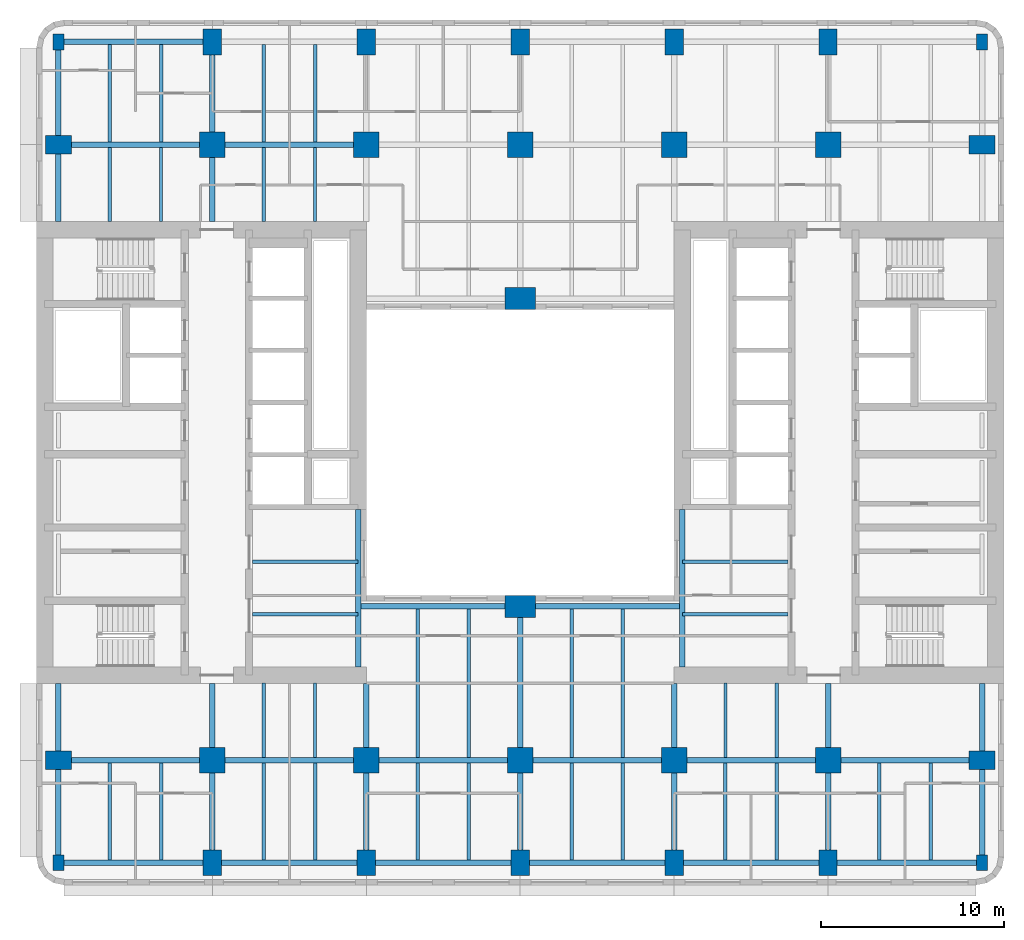
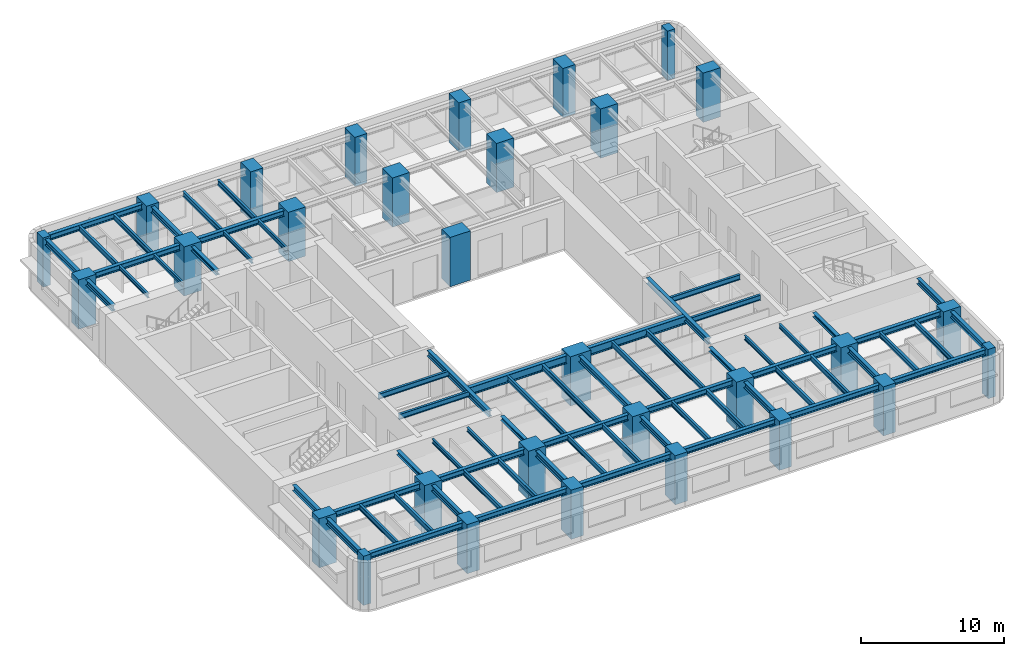
# One storey, part 1 of 11: 69 beams, 30 columns.
"""IFC4 building model written with IfcOpenShell, lengths in metres."""

from ifc_helpers import new_model, si_unit, direction, frame, origin, origin_2d, place, context, subcontext, project, spatial, rectangle, i_section, extrude, material, material_profile, profile_set, type_object, element, save


model = new_model("IFC4")

# Units and contexts
model_context = context("Model", 3, precision=1e-05, world=origin(), true_north=direction((0.0, 1.0)))
body_context = subcontext(model_context, "Body", "Model", "MODEL_VIEW")
ifc_project = project(units=[si_unit("LENGTHUNIT", "METRE"), si_unit("AREAUNIT", "SQUARE_METRE"), si_unit("VOLUMEUNIT", "CUBIC_METRE"), si_unit("PLANEANGLEUNIT", "RADIAN"), si_unit("MASSUNIT", "GRAM", prefix="KILO")], contexts=[model_context])

# Site, building, storey
site_placement = place(None, origin())
site = spatial("IfcSite", under=ifc_project, at=site_placement, CompositionType="ELEMENT")
building_placement = place(site_placement, origin())
building = spatial("IfcBuilding", under=site, at=building_placement, Name="Claustro Exchange Tower", CompositionType="ELEMENT")
storey_placement = place(building_placement, frame((0.0, 0.0, 126.0)))
storey = spatial("IfcBuildingStorey", under=building, at=storey_placement, Name="L28", CompositionType="ELEMENT", Elevation=126.0)

# Columns
ifc_material_1 = material(Name="Concrete HA-70 (C70/85)", Category="concrete")
ifc_material_profile_1 = material_profile(ifc_material_1, rectangle(XDim=1.39990234375, YDim=1.39990234375, at=origin_2d()), Name="RC 1400x1400")
ifc_profile_set_1 = profile_set([ifc_material_profile_1], Name="Concrete HA-70 (C70/85)")
column_type_1 = type_object("IfcColumnType", Name="C0 RC 1400x1400 HA-70 column", PredefinedType="COLUMN", material=ifc_profile_set_1)
for number, where, z_axis, x_axis, name in (
    (1, (8.39990234375, 8.39990234375, 0.0), (0.0, 0.0, 1.0), (1.0, 0.0, 0.0), "Column C0 2/B L28"),
    (2, (8.39990234375, 42.0, 0.0), (0.0, 0.0, 1.0), (1.0, 0.0, 0.0), "Column C0 2/F L28"),
    (3, (16.800048828125, 8.39990234375, 0.0), (0.0, 0.0, 1.0), (1.0, 0.0, 0.0), "Column C0 3/B L28"),
    (4, (16.800048828125, 42.0, 0.0), (0.0, 0.0, 1.0), (1.0, 0.0, 0.0), "Column C0 3/F L28"),
    (5, (25.199951171875, 8.39990234375, 0.0), (0.0, 0.0, 1.0), (1.0, 0.0, 0.0), "Column C0 4/B L28"),
    (6, (25.199951171875, 42.0, 0.0), (0.0, 0.0, 1.0), (1.0, 0.0, 0.0), "Column C0 4/F L28"),
    (7, (33.60009765625, 8.39990234375, 0.0), (0.0, 0.0, 1.0), (1.0, 0.0, 0.0), "Column C0 5/B L28"),
    (8, (33.60009765625, 42.0, 0.0), (0.0, 0.0, 1.0), (1.0, 0.0, 0.0), "Column C0 5/F L28"),
    (9, (42.0, 8.39990234375, 0.0), (0.0, 0.0, 1.0), (1.0, 0.0, 0.0), "Column C0 6/B L28"),
    (10, (42.0, 42.0, 0.0), (0.0, 0.0, 1.0), (1.0, 0.0, 0.0), "Column C0 6/F L28"),
):
    element("IfcColumn", number, at=place(storey_placement, frame(where, z_axis=z_axis, x_axis=x_axis)), inside=storey, type_object=column_type_1, Name=name, PredefinedType="COLUMN", context=body_context, shape_type="SweptSolid", body=[
        extrude(rectangle(XDim=1.39990234375, YDim=1.39990234375, at=origin_2d()), origin(), (0.0, 0.0, 1.0), 4.199951171875),
    ])
ifc_material_2 = material(Name="Concrete HA-70 (C70/85)", Category="concrete")
ifc_material_profile_2 = material_profile(ifc_material_2, rectangle(XDim=1.0, YDim=1.39990234375, at=origin_2d()), Name="RC 1000x1400")
ifc_profile_set_2 = profile_set([ifc_material_profile_2], Name="Concrete HA-70 (C70/85)")
column_type_2 = type_object("IfcColumnType", Name="C22 RC 1000x1400 HA-70 perimeter column", PredefinedType="COLUMN", material=ifc_profile_set_2)
for number, where, z_axis, x_axis, name in (
    (11, (0.0, 8.39990234375, 0.0), (0.0, 0.0, 1.0), (0.0, 1.0, 0.0), "Column C22 1/B L28"),
    (12, (0.0, 42.0, 0.0), (0.0, 0.0, 1.0), (0.0, 1.0, 0.0), "Column C22 1/F L28"),
    (13, (8.39990234375, 2.800048828125, 0.0), (0.0, 0.0, 1.0), (1.0, 0.0, 0.0), "Column C22 2/A+2800 L28"),
    (14, (8.39990234375, 47.60009765625, 0.0), (0.0, 0.0, 1.0), (1.0, 0.0, 0.0), "Column C22 2/F+5600 L28"),
    (15, (16.800048828125, 2.800048828125, 0.0), (0.0, 0.0, 1.0), (1.0, 0.0, 0.0), "Column C22 3/A+2800 L28"),
    (16, (16.800048828125, 47.60009765625, 0.0), (0.0, 0.0, 1.0), (1.0, 0.0, 0.0), "Column C22 3/F+5600 L28"),
    (17, (25.199951171875, 2.800048828125, 0.0), (0.0, 0.0, 1.0), (1.0, 0.0, 0.0), "Column C22 4/A+2800 L28"),
    (18, (25.199951171875, 47.60009765625, 0.0), (0.0, 0.0, 1.0), (1.0, 0.0, 0.0), "Column C22 4/F+5600 L28"),
    (19, (33.60009765625, 2.800048828125, 0.0), (0.0, 0.0, 1.0), (1.0, 0.0, 0.0), "Column C22 5/A+2800 L28"),
    (20, (33.60009765625, 47.60009765625, 0.0), (0.0, 0.0, 1.0), (1.0, 0.0, 0.0), "Column C22 5/F+5600 L28"),
    (21, (42.0, 2.800048828125, 0.0), (0.0, 0.0, 1.0), (1.0, 0.0, 0.0), "Column C22 6/A+2800 L28"),
    (22, (42.0, 47.60009765625, 0.0), (0.0, 0.0, 1.0), (1.0, 0.0, 0.0), "Column C22 6/F+5600 L28"),
    (23, (50.39990234375, 8.39990234375, 0.0), (0.0, 0.0, 1.0), (0.0, 1.0, 0.0), "Column C22 7/B L28"),
    (24, (50.39990234375, 42.0, 0.0), (0.0, 0.0, 1.0), (0.0, 1.0, 0.0), "Column C22 7/F L28"),
):
    element("IfcColumn", number, at=place(storey_placement, frame(where, z_axis=z_axis, x_axis=x_axis)), inside=storey, type_object=column_type_2, Name=name, PredefinedType="COLUMN", context=body_context, shape_type="SweptSolid", body=[
        extrude(rectangle(XDim=1.0, YDim=1.39990234375, at=origin_2d()), origin(), (0.0, 0.0, 1.0), 4.199951171875),
    ])
ifc_material_3 = material(Name="Concrete HA-50 (C50/60)", Category="concrete")
ifc_material_profile_3 = material_profile(ifc_material_3, rectangle(XDim=0.60009765625, YDim=0.85009765625, at=origin_2d()), Name="RC 600x850")
ifc_profile_set_3 = profile_set([ifc_material_profile_3], Name="Concrete HA-50 (C50/60)")
column_type_3 = type_object("IfcColumnType", Name="C25 RC 600x850 HA-50 corner column", PredefinedType="COLUMN", material=ifc_profile_set_3)
for number, where, z_axis, x_axis, name in (
    (25, (0.0, 2.800048828125, 0.0), (0.0, 0.0, 1.0), (1.0, 0.0, 0.0), "Column C25 1/A+2800 L28"),
    (26, (0.0, 47.60009765625, 0.0), (0.0, 0.0, 1.0), (1.0, 0.0, 0.0), "Column C25 1/F+5600 L28"),
    (27, (50.39990234375, 2.800048828125, 0.0), (0.0, 0.0, 1.0), (1.0, 0.0, 0.0), "Column C25 7/A+2800 L28"),
    (28, (50.39990234375, 47.60009765625, 0.0), (0.0, 0.0, 1.0), (1.0, 0.0, 0.0), "Column C25 7/F+5600 L28"),
):
    element("IfcColumn", number, at=place(storey_placement, frame(where, z_axis=z_axis, x_axis=x_axis)), inside=storey, type_object=column_type_3, Name=name, PredefinedType="COLUMN", context=body_context, shape_type="SweptSolid", body=[
        extrude(rectangle(XDim=0.60009765625, YDim=0.85009765625, at=origin_2d()), origin(), (0.0, 0.0, 1.0), 4.199951171875),
    ])
ifc_material_4 = material(Name="Concrete HA-70 (C70/85)", Category="concrete")
ifc_material_profile_4 = material_profile(ifc_material_4, rectangle(XDim=1.64990234375, YDim=1.199951171875, at=origin_2d()), Name="RC 1650x1200")
ifc_profile_set_4 = profile_set([ifc_material_profile_4], Name="Concrete HA-70 (C70/85)")
column_type_4 = type_object("IfcColumnType", Name="C32 RC 1650x1200 HA-70 light well column", PredefinedType="COLUMN", material=ifc_profile_set_4)
for number, where, z_axis, x_axis, name in (
    (29, (25.199951171875, 16.800048828125, 0.0), (0.0, 0.0, 1.0), (1.0, 0.0, 0.0), "Column C32 4/C L28"),
    (30, (25.199951171875, 33.60009765625, 0.0), (0.0, 0.0, 1.0), (1.0, 0.0, 0.0), "Column C32 4/E L28"),
):
    element("IfcColumn", number, at=place(storey_placement, frame(where, z_axis=z_axis, x_axis=x_axis)), inside=storey, type_object=column_type_4, Name=name, PredefinedType="COLUMN", context=body_context, shape_type="SweptSolid", body=[
        extrude(rectangle(XDim=1.64990234375, YDim=1.199951171875, at=origin_2d()), origin(), (0.0, 0.0, 1.0), 4.199951171875),
    ])

# Beams
ifc_material_5 = material(Name="Steel S355", Category="steel")
ifc_material_profile_5 = material_profile(ifc_material_5, i_section(OverallWidth=0.300048828125, OverallDepth=0.68994140625, WebThickness=0.014404296875, FlangeThickness=0.027099609375, FilletRadius=0.027099609375, at=origin_2d()), Name="HE 700 A")
ifc_profile_set_5 = profile_set([ifc_material_profile_5], Name="Steel S355")
beam_type_1 = type_object("IfcBeamType", Name="B13 HE 700 A light well edge girder", PredefinedType="BEAM", material=ifc_profile_set_5)
beam_1_placement = place(storey_placement, frame((16.35009765625, 16.800048828125, 3.705078125), z_axis=(1.0, 0.0, 0.0), x_axis=(0.0, 1.0, 0.0)))
element("IfcBeam", 31, at=beam_1_placement, inside=storey, type_object=beam_type_1, Name="Beam B13 L29", PredefinedType="BEAM", context=body_context, shape_type="SweptSolid", body=[
    extrude(i_section(OverallWidth=0.300048828125, OverallDepth=0.68994140625, WebThickness=0.014404296875, FlangeThickness=0.027099609375, FilletRadius=0.027099609375, at=origin_2d()), origin(), (0.0, 0.0, 1.0), 8.849853515625),
])
beam_2_placement = place(storey_placement, frame((25.199951171875, 16.800048828125, 3.705078125), z_axis=(1.0, 0.0, 0.0), x_axis=(0.0, 1.0, 0.0)))
element("IfcBeam", 32, at=beam_2_placement, inside=storey, type_object=beam_type_1, Name="Beam B13 L29", PredefinedType="BEAM", context=body_context, shape_type="SweptSolid", body=[
    extrude(i_section(OverallWidth=0.300048828125, OverallDepth=0.68994140625, WebThickness=0.014404296875, FlangeThickness=0.027099609375, FilletRadius=0.027099609375, at=origin_2d()), origin(), (0.0, 0.0, 1.0), 8.85009765625),
])
ifc_material_6 = material(Name="Steel S355", Category="steel")
ifc_material_profile_6 = material_profile(ifc_material_6, i_section(OverallWidth=0.169921875, OverallDepth=0.360107421875, WebThickness=0.008056640625, FlangeThickness=0.0126953125, FilletRadius=0.01806640625, at=origin_2d()), Name="IPE 360")
ifc_profile_set_6 = profile_set([ifc_material_profile_6], Name="Steel S355")
beam_type_2 = type_object("IfcBeamType", Name="B16 IPE 360 short-span beam", PredefinedType="BEAM", material=ifc_profile_set_6)
for number, where, z_axis, x_axis, name in (
    (33, (2.800048828125, 37.7900390625, 3.8701171875), (0.0, 1.0, 0.0), (-1.0, 0.0, 0.0), "Beam B16 L29"),
    (34, (5.60009765625, 37.7900390625, 3.8701171875), (0.0, 1.0, 0.0), (-1.0, 0.0, 0.0), "Beam B16 L29"),
    (35, (11.199951171875, 8.550048828125, 3.8701171875), (0.0, 1.0, 0.0), (-1.0, 0.0, 0.0), "Beam B16 L29"),
    (36, (14.0, 8.550048828125, 3.8701171875), (0.0, 1.0, 0.0), (-1.0, 0.0, 0.0), "Beam B16 L29"),
    (37, (11.199951171875, 37.7900390625, 3.8701171875), (0.0, 1.0, 0.0), (-1.0, 0.0, 0.0), "Beam B16 L29"),
    (38, (14.0, 37.7900390625, 3.8701171875), (0.0, 1.0, 0.0), (-1.0, 0.0, 0.0), "Beam B16 L29"),
    (39, (36.39990234375, 8.550048828125, 3.8701171875), (0.0, 1.0, 0.0), (-1.0, 0.0, 0.0), "Beam B16 L29"),
    (40, (39.199951171875, 8.550048828125, 3.8701171875), (0.0, 1.0, 0.0), (-1.0, 0.0, 0.0), "Beam B16 L29"),
):
    element("IfcBeam", number, at=place(storey_placement, frame(where, z_axis=z_axis, x_axis=x_axis)), inside=storey, type_object=beam_type_2, Name=name, PredefinedType="BEAM", context=body_context, shape_type="SweptSolid", body=[
        extrude(i_section(OverallWidth=0.169921875, OverallDepth=0.360107421875, WebThickness=0.008056640625, FlangeThickness=0.0126953125, FilletRadius=0.01806640625, at=origin_2d()), origin(), (0.0, 0.0, 1.0), 4.06005859375),
    ])
ifc_material_7 = material(Name="Steel S355", Category="steel")
ifc_material_profile_7 = material_profile(ifc_material_7, i_section(OverallWidth=0.300048828125, OverallDepth=0.360107421875, WebThickness=0.012451171875, FlangeThickness=0.0224609375, FilletRadius=0.027099609375, at=origin_2d()), Name="HE 360 B")
ifc_profile_set_7 = profile_set([ifc_material_profile_7], Name="Steel S355")
beam_type_3 = type_object("IfcBeamType", Name="B29 HE 360 B column to core link beam", PredefinedType="BEAM", material=ifc_profile_set_7)
beam_3_placement = place(storey_placement, frame((8.39990234375, 8.39990234375, 3.8701171875), z_axis=(0.0, 1.0, 0.0), x_axis=(-1.0, 0.0, 0.0)))
element("IfcBeam", 41, at=beam_3_placement, inside=storey, type_object=beam_type_3, Name="Beam B29 L29", PredefinedType="BEAM", context=body_context, shape_type="SweptSolid", body=[
    extrude(i_section(OverallWidth=0.300048828125, OverallDepth=0.360107421875, WebThickness=0.012451171875, FlangeThickness=0.0224609375, FilletRadius=0.027099609375, at=origin_2d()), origin(), (0.0, 0.0, 1.0), 4.2001953125),
])
beam_4_placement = place(storey_placement, frame((8.39990234375, 37.800048828125, 3.8701171875), z_axis=(0.0, 1.0, 0.0), x_axis=(-1.0, 0.0, 0.0)))
element("IfcBeam", 42, at=beam_4_placement, inside=storey, type_object=beam_type_3, Name="Beam B29 L29", PredefinedType="BEAM", context=body_context, shape_type="SweptSolid", body=[
    extrude(i_section(OverallWidth=0.300048828125, OverallDepth=0.360107421875, WebThickness=0.012451171875, FlangeThickness=0.0224609375, FilletRadius=0.027099609375, at=origin_2d()), origin(), (0.0, 0.0, 1.0), 4.199951171875),
])
for number, where, z_axis, x_axis, name in (
    (43, (16.800048828125, 8.39990234375, 3.8701171875), (0.0, 1.0, 0.0), (-1.0, 0.0, 0.0), "Beam B29 L29"),
    (44, (33.60009765625, 8.39990234375, 3.8701171875), (0.0, 1.0, 0.0), (-1.0, 0.0, 0.0), "Beam B29 L29"),
    (45, (42.0, 8.39990234375, 3.8701171875), (0.0, 1.0, 0.0), (-1.0, 0.0, 0.0), "Beam B29 L29"),
):
    element("IfcBeam", number, at=place(storey_placement, frame(where, z_axis=z_axis, x_axis=x_axis)), inside=storey, type_object=beam_type_3, Name=name, PredefinedType="BEAM", context=body_context, shape_type="SweptSolid", body=[
        extrude(i_section(OverallWidth=0.300048828125, OverallDepth=0.360107421875, WebThickness=0.012451171875, FlangeThickness=0.0224609375, FilletRadius=0.027099609375, at=origin_2d()), origin(), (0.0, 0.0, 1.0), 4.2001953125),
    ])
ifc_material_8 = material(Name="Steel S355", Category="steel")
ifc_material_profile_8 = material_profile(ifc_material_8, i_section(OverallWidth=0.300048828125, OverallDepth=0.5, WebThickness=0.014404296875, FlangeThickness=0.028076171875, FilletRadius=0.027099609375, at=origin_2d()), Name="HE 500 B")
ifc_profile_set_8 = profile_set([ifc_material_profile_8], Name="Steel S355")
beam_type_4 = type_object("IfcBeamType", Name="B7 HE 500 B floor girder", PredefinedType="BEAM", material=ifc_profile_set_8)
beam_5_placement = place(storey_placement, frame((8.39990234375, 2.800048828125, 3.800048828125), z_axis=(0.0, 1.0, 0.0), x_axis=(-1.0, 0.0, 0.0)))
element("IfcBeam", 46, at=beam_5_placement, inside=storey, type_object=beam_type_4, Name="Beam B7 L29", PredefinedType="BEAM", context=body_context, shape_type="SweptSolid", body=[
    extrude(i_section(OverallWidth=0.300048828125, OverallDepth=0.5, WebThickness=0.014404296875, FlangeThickness=0.028076171875, FilletRadius=0.027099609375, at=origin_2d()), origin(), (0.0, 0.0, 1.0), 5.599853515625),
])
beam_6_placement = place(storey_placement, frame((8.39990234375, 42.0, 3.800048828125), z_axis=(0.0, 1.0, 0.0), x_axis=(-1.0, 0.0, 0.0)))
element("IfcBeam", 47, at=beam_6_placement, inside=storey, type_object=beam_type_4, Name="Beam B7 L29", PredefinedType="BEAM", context=body_context, shape_type="SweptSolid", body=[
    extrude(i_section(OverallWidth=0.300048828125, OverallDepth=0.5, WebThickness=0.014404296875, FlangeThickness=0.028076171875, FilletRadius=0.027099609375, at=origin_2d()), origin(), (0.0, 0.0, 1.0), 5.60009765625),
])
for number, where, z_axis, x_axis, name in (
    (48, (16.800048828125, 2.800048828125, 3.800048828125), (0.0, 1.0, 0.0), (-1.0, 0.0, 0.0), "Beam B7 L29"),
    (49, (25.199951171875, 2.800048828125, 3.800048828125), (0.0, 1.0, 0.0), (-1.0, 0.0, 0.0), "Beam B7 L29"),
):
    element("IfcBeam", number, at=place(storey_placement, frame(where, z_axis=z_axis, x_axis=x_axis)), inside=storey, type_object=beam_type_4, Name=name, PredefinedType="BEAM", context=body_context, shape_type="SweptSolid", body=[
        extrude(i_section(OverallWidth=0.300048828125, OverallDepth=0.5, WebThickness=0.014404296875, FlangeThickness=0.028076171875, FilletRadius=0.027099609375, at=origin_2d()), origin(), (0.0, 0.0, 1.0), 5.599853515625),
    ])
beam_7_placement = place(storey_placement, frame((25.199951171875, 8.39990234375, 3.800048828125), z_axis=(0.0, 1.0, 0.0), x_axis=(-1.0, 0.0, 0.0)))
element("IfcBeam", 50, at=beam_7_placement, inside=storey, type_object=beam_type_4, Name="Beam B7 L29", PredefinedType="BEAM", context=body_context, shape_type="SweptSolid", body=[
    extrude(i_section(OverallWidth=0.300048828125, OverallDepth=0.5, WebThickness=0.014404296875, FlangeThickness=0.028076171875, FilletRadius=0.027099609375, at=origin_2d()), origin(), (0.0, 0.0, 1.0), 8.400146484375),
])
for number, where, z_axis, x_axis, name in (
    (51, (33.60009765625, 2.800048828125, 3.800048828125), (0.0, 1.0, 0.0), (-1.0, 0.0, 0.0), "Beam B7 L29"),
    (52, (42.0, 2.800048828125, 3.800048828125), (0.0, 1.0, 0.0), (-1.0, 0.0, 0.0), "Beam B7 L29"),
):
    element("IfcBeam", number, at=place(storey_placement, frame(where, z_axis=z_axis, x_axis=x_axis)), inside=storey, type_object=beam_type_4, Name=name, PredefinedType="BEAM", context=body_context, shape_type="SweptSolid", body=[
        extrude(i_section(OverallWidth=0.300048828125, OverallDepth=0.5, WebThickness=0.014404296875, FlangeThickness=0.028076171875, FilletRadius=0.027099609375, at=origin_2d()), origin(), (0.0, 0.0, 1.0), 5.599853515625),
    ])
beam_8_placement = place(storey_placement, frame((0.0, 8.39990234375, 3.800048828125), z_axis=(1.0, 0.0, 0.0), x_axis=(0.0, 1.0, 0.0)))
element("IfcBeam", 53, at=beam_8_placement, inside=storey, type_object=beam_type_4, Name="Beam B7 L29", PredefinedType="BEAM", context=body_context, shape_type="SweptSolid", body=[
    extrude(i_section(OverallWidth=0.300048828125, OverallDepth=0.5, WebThickness=0.014404296875, FlangeThickness=0.028076171875, FilletRadius=0.027099609375, at=origin_2d()), origin(), (0.0, 0.0, 1.0), 8.39990234375),
])
beam_9_placement = place(storey_placement, frame((8.39990234375, 8.39990234375, 3.800048828125), z_axis=(1.0, 0.0, 0.0), x_axis=(0.0, 1.0, 0.0)))
element("IfcBeam", 54, at=beam_9_placement, inside=storey, type_object=beam_type_4, Name="Beam B7 L29", PredefinedType="BEAM", context=body_context, shape_type="SweptSolid", body=[
    extrude(i_section(OverallWidth=0.300048828125, OverallDepth=0.5, WebThickness=0.014404296875, FlangeThickness=0.028076171875, FilletRadius=0.027099609375, at=origin_2d()), origin(), (0.0, 0.0, 1.0), 8.400146484375),
])
beam_10_placement = place(storey_placement, frame((16.800048828125, 8.39990234375, 3.800048828125), z_axis=(1.0, 0.0, 0.0), x_axis=(0.0, 1.0, 0.0)))
element("IfcBeam", 55, at=beam_10_placement, inside=storey, type_object=beam_type_4, Name="Beam B7 L29", PredefinedType="BEAM", context=body_context, shape_type="SweptSolid", body=[
    extrude(i_section(OverallWidth=0.300048828125, OverallDepth=0.5, WebThickness=0.014404296875, FlangeThickness=0.028076171875, FilletRadius=0.027099609375, at=origin_2d()), origin(), (0.0, 0.0, 1.0), 8.39990234375),
])
beam_11_placement = place(storey_placement, frame((25.199951171875, 8.39990234375, 3.800048828125), z_axis=(1.0, 0.0, 0.0), x_axis=(0.0, 1.0, 0.0)))
element("IfcBeam", 56, at=beam_11_placement, inside=storey, type_object=beam_type_4, Name="Beam B7 L29", PredefinedType="BEAM", context=body_context, shape_type="SweptSolid", body=[
    extrude(i_section(OverallWidth=0.300048828125, OverallDepth=0.5, WebThickness=0.014404296875, FlangeThickness=0.028076171875, FilletRadius=0.027099609375, at=origin_2d()), origin(), (0.0, 0.0, 1.0), 8.400146484375),
])
for number, where, z_axis, x_axis, name in (
    (57, (33.60009765625, 8.39990234375, 3.800048828125), (1.0, 0.0, 0.0), (0.0, 1.0, 0.0), "Beam B7 L29"),
    (58, (42.0, 8.39990234375, 3.800048828125), (1.0, 0.0, 0.0), (0.0, 1.0, 0.0), "Beam B7 L29"),
    (59, (0.0, 42.0, 3.800048828125), (1.0, 0.0, 0.0), (0.0, 1.0, 0.0), "Beam B7 L29"),
):
    element("IfcBeam", number, at=place(storey_placement, frame(where, z_axis=z_axis, x_axis=x_axis)), inside=storey, type_object=beam_type_4, Name=name, PredefinedType="BEAM", context=body_context, shape_type="SweptSolid", body=[
        extrude(i_section(OverallWidth=0.300048828125, OverallDepth=0.5, WebThickness=0.014404296875, FlangeThickness=0.028076171875, FilletRadius=0.027099609375, at=origin_2d()), origin(), (0.0, 0.0, 1.0), 8.39990234375),
    ])
beam_12_placement = place(storey_placement, frame((8.39990234375, 42.0, 3.800048828125), z_axis=(1.0, 0.0, 0.0), x_axis=(0.0, 1.0, 0.0)))
element("IfcBeam", 60, at=beam_12_placement, inside=storey, type_object=beam_type_4, Name="Beam B7 L29", PredefinedType="BEAM", context=body_context, shape_type="SweptSolid", body=[
    extrude(i_section(OverallWidth=0.300048828125, OverallDepth=0.5, WebThickness=0.014404296875, FlangeThickness=0.028076171875, FilletRadius=0.027099609375, at=origin_2d()), origin(), (0.0, 0.0, 1.0), 8.400146484375),
])
for number, where, z_axis, x_axis, name in (
    (61, (16.35009765625, 13.5, 3.800048828125), (0.0, 1.0, 0.0), (-1.0, 0.0, 0.0), "Beam B7 core step framing L29"),
    (62, (34.050048828125, 13.5, 3.800048828125), (0.0, 1.0, 0.0), (-1.0, 0.0, 0.0), "Beam B7 core step framing L29"),
):
    element("IfcBeam", number, at=place(storey_placement, frame(where, z_axis=z_axis, x_axis=x_axis)), inside=storey, type_object=beam_type_4, Name=name, PredefinedType="BEAM", context=body_context, shape_type="SweptSolid", body=[
        extrude(i_section(OverallWidth=0.300048828125, OverallDepth=0.5, WebThickness=0.014404296875, FlangeThickness=0.028076171875, FilletRadius=0.027099609375, at=origin_2d()), origin(), (0.0, 0.0, 1.0), 8.60009765625),
    ])
ifc_material_9 = material(Name="Steel S355", Category="steel")
ifc_material_profile_9 = material_profile(ifc_material_9, i_section(OverallWidth=0.18994140625, OverallDepth=0.449951171875, WebThickness=0.009521484375, FlangeThickness=0.0146484375, FilletRadius=0.02099609375, at=origin_2d()), Name="IPE 450")
ifc_profile_set_9 = profile_set([ifc_material_profile_9], Name="Steel S355")
beam_type_5 = type_object("IfcBeamType", Name="B8 IPE 450 secondary beam", PredefinedType="BEAM", material=ifc_profile_set_9)
for number, where, z_axis, x_axis, name in (
    (63, (2.800048828125, 2.949951171875, 3.824951171875), (0.0, 1.0, 0.0), (-1.0, 0.0, 0.0), "Beam B8 L29"),
    (64, (5.60009765625, 2.949951171875, 3.824951171875), (0.0, 1.0, 0.0), (-1.0, 0.0, 0.0), "Beam B8 L29"),
    (65, (2.800048828125, 42.14990234375, 3.824951171875), (0.0, 1.0, 0.0), (-1.0, 0.0, 0.0), "Beam B8 L29"),
    (66, (5.60009765625, 42.14990234375, 3.824951171875), (0.0, 1.0, 0.0), (-1.0, 0.0, 0.0), "Beam B8 L29"),
    (67, (11.199951171875, 2.949951171875, 3.824951171875), (0.0, 1.0, 0.0), (-1.0, 0.0, 0.0), "Beam B8 L29"),
    (68, (14.0, 2.949951171875, 3.824951171875), (0.0, 1.0, 0.0), (-1.0, 0.0, 0.0), "Beam B8 L29"),
    (69, (11.199951171875, 42.14990234375, 3.824951171875), (0.0, 1.0, 0.0), (-1.0, 0.0, 0.0), "Beam B8 L29"),
    (70, (14.0, 42.14990234375, 3.824951171875), (0.0, 1.0, 0.0), (-1.0, 0.0, 0.0), "Beam B8 L29"),
    (71, (19.60009765625, 2.949951171875, 3.824951171875), (0.0, 1.0, 0.0), (-1.0, 0.0, 0.0), "Beam B8 L29"),
    (72, (22.39990234375, 2.949951171875, 3.824951171875), (0.0, 1.0, 0.0), (-1.0, 0.0, 0.0), "Beam B8 L29"),
):
    element("IfcBeam", number, at=place(storey_placement, frame(where, z_axis=z_axis, x_axis=x_axis)), inside=storey, type_object=beam_type_5, Name=name, PredefinedType="BEAM", context=body_context, shape_type="SweptSolid", body=[
        extrude(i_section(OverallWidth=0.18994140625, OverallDepth=0.449951171875, WebThickness=0.009521484375, FlangeThickness=0.0146484375, FilletRadius=0.02099609375, at=origin_2d()), origin(), (0.0, 0.0, 1.0), 5.300048828125),
    ])
for number, where, z_axis, x_axis, name in (
    (73, (19.60009765625, 8.550048828125, 3.824951171875), (0.0, 1.0, 0.0), (-1.0, 0.0, 0.0), "Beam B8 L29"),
    (74, (22.39990234375, 8.550048828125, 3.824951171875), (0.0, 1.0, 0.0), (-1.0, 0.0, 0.0), "Beam B8 L29"),
):
    element("IfcBeam", number, at=place(storey_placement, frame(where, z_axis=z_axis, x_axis=x_axis)), inside=storey, type_object=beam_type_5, Name=name, PredefinedType="BEAM", context=body_context, shape_type="SweptSolid", body=[
        extrude(i_section(OverallWidth=0.18994140625, OverallDepth=0.449951171875, WebThickness=0.009521484375, FlangeThickness=0.0146484375, FilletRadius=0.02099609375, at=origin_2d()), origin(), (0.0, 0.0, 1.0), 8.099853515625),
    ])
for number, where, z_axis, x_axis, name in (
    (75, (28.0, 2.949951171875, 3.824951171875), (0.0, 1.0, 0.0), (-1.0, 0.0, 0.0), "Beam B8 L29"),
    (76, (30.800048828125, 2.949951171875, 3.824951171875), (0.0, 1.0, 0.0), (-1.0, 0.0, 0.0), "Beam B8 L29"),
):
    element("IfcBeam", number, at=place(storey_placement, frame(where, z_axis=z_axis, x_axis=x_axis)), inside=storey, type_object=beam_type_5, Name=name, PredefinedType="BEAM", context=body_context, shape_type="SweptSolid", body=[
        extrude(i_section(OverallWidth=0.18994140625, OverallDepth=0.449951171875, WebThickness=0.009521484375, FlangeThickness=0.0146484375, FilletRadius=0.02099609375, at=origin_2d()), origin(), (0.0, 0.0, 1.0), 5.300048828125),
    ])
for number, where, z_axis, x_axis, name in (
    (77, (28.0, 8.550048828125, 3.824951171875), (0.0, 1.0, 0.0), (-1.0, 0.0, 0.0), "Beam B8 L29"),
    (78, (30.800048828125, 8.550048828125, 3.824951171875), (0.0, 1.0, 0.0), (-1.0, 0.0, 0.0), "Beam B8 L29"),
):
    element("IfcBeam", number, at=place(storey_placement, frame(where, z_axis=z_axis, x_axis=x_axis)), inside=storey, type_object=beam_type_5, Name=name, PredefinedType="BEAM", context=body_context, shape_type="SweptSolid", body=[
        extrude(i_section(OverallWidth=0.18994140625, OverallDepth=0.449951171875, WebThickness=0.009521484375, FlangeThickness=0.0146484375, FilletRadius=0.02099609375, at=origin_2d()), origin(), (0.0, 0.0, 1.0), 8.099853515625),
    ])
for number, where, z_axis, x_axis, name in (
    (79, (36.39990234375, 2.949951171875, 3.824951171875), (0.0, 1.0, 0.0), (-1.0, 0.0, 0.0), "Beam B8 L29"),
    (80, (39.199951171875, 2.949951171875, 3.824951171875), (0.0, 1.0, 0.0), (-1.0, 0.0, 0.0), "Beam B8 L29"),
    (81, (44.800048828125, 2.949951171875, 3.824951171875), (0.0, 1.0, 0.0), (-1.0, 0.0, 0.0), "Beam B8 L29"),
    (82, (47.60009765625, 2.949951171875, 3.824951171875), (0.0, 1.0, 0.0), (-1.0, 0.0, 0.0), "Beam B8 L29"),
):
    element("IfcBeam", number, at=place(storey_placement, frame(where, z_axis=z_axis, x_axis=x_axis)), inside=storey, type_object=beam_type_5, Name=name, PredefinedType="BEAM", context=body_context, shape_type="SweptSolid", body=[
        extrude(i_section(OverallWidth=0.18994140625, OverallDepth=0.449951171875, WebThickness=0.009521484375, FlangeThickness=0.0146484375, FilletRadius=0.02099609375, at=origin_2d()), origin(), (0.0, 0.0, 1.0), 5.300048828125),
    ])
for number, where, z_axis, x_axis, name in (
    (83, (10.60009765625, 16.36669921875, 3.824951171875), (1.0, 0.0, 0.0), (0.0, 1.0, 0.0), "Beam B8 core step framing L29"),
    (84, (10.60009765625, 19.2333984375, 3.824951171875), (1.0, 0.0, 0.0), (0.0, 1.0, 0.0), "Beam B8 core step framing L29"),
    (85, (34.050048828125, 16.36669921875, 3.824951171875), (1.0, 0.0, 0.0), (0.0, 1.0, 0.0), "Beam B8 core step framing L29"),
    (86, (34.050048828125, 19.2333984375, 3.824951171875), (1.0, 0.0, 0.0), (0.0, 1.0, 0.0), "Beam B8 core step framing L29"),
):
    element("IfcBeam", number, at=place(storey_placement, frame(where, z_axis=z_axis, x_axis=x_axis)), inside=storey, type_object=beam_type_5, Name=name, PredefinedType="BEAM", context=body_context, shape_type="SweptSolid", body=[
        extrude(i_section(OverallWidth=0.18994140625, OverallDepth=0.449951171875, WebThickness=0.009521484375, FlangeThickness=0.0146484375, FilletRadius=0.02099609375, at=origin_2d()), origin(), (0.0, 0.0, 1.0), 5.75),
    ])
ifc_material_10 = material(Name="Steel S355", Category="steel")
ifc_material_profile_10 = material_profile(ifc_material_10, i_section(OverallWidth=0.300048828125, OverallDepth=0.489990234375, WebThickness=0.011962890625, FlangeThickness=0.02294921875, FilletRadius=0.027099609375, at=origin_2d()), Name="HE 500 A")
ifc_profile_set_10 = profile_set([ifc_material_profile_10], Name="Steel S355")
beam_type_6 = type_object("IfcBeamType", Name="B9 HE 500 A spandrel edge girder", PredefinedType="SPANDREL", material=ifc_profile_set_10)
beam_13_placement = place(storey_placement, frame((0.0, 2.800048828125, 3.804931640625), z_axis=(0.0, 1.0, 0.0), x_axis=(-1.0, 0.0, 0.0)))
element("IfcBeam", 87, at=beam_13_placement, inside=storey, type_object=beam_type_6, Name="Beam B9 L29", PredefinedType="SPANDREL", context=body_context, shape_type="SweptSolid", body=[
    extrude(i_section(OverallWidth=0.300048828125, OverallDepth=0.489990234375, WebThickness=0.011962890625, FlangeThickness=0.02294921875, FilletRadius=0.027099609375, at=origin_2d()), origin(), (0.0, 0.0, 1.0), 5.599853515625),
])
beam_14_placement = place(storey_placement, frame((0.0, 8.39990234375, 3.804931640625), z_axis=(0.0, 1.0, 0.0), x_axis=(-1.0, 0.0, 0.0)))
element("IfcBeam", 88, at=beam_14_placement, inside=storey, type_object=beam_type_6, Name="Beam B9 L29", PredefinedType="SPANDREL", context=body_context, shape_type="SweptSolid", body=[
    extrude(i_section(OverallWidth=0.300048828125, OverallDepth=0.489990234375, WebThickness=0.011962890625, FlangeThickness=0.02294921875, FilletRadius=0.027099609375, at=origin_2d()), origin(), (0.0, 0.0, 1.0), 4.2001953125),
])
beam_15_placement = place(storey_placement, frame((0.0, 37.800048828125, 3.804931640625), z_axis=(0.0, 1.0, 0.0), x_axis=(-1.0, 0.0, 0.0)))
element("IfcBeam", 89, at=beam_15_placement, inside=storey, type_object=beam_type_6, Name="Beam B9 L29", PredefinedType="SPANDREL", context=body_context, shape_type="SweptSolid", body=[
    extrude(i_section(OverallWidth=0.300048828125, OverallDepth=0.489990234375, WebThickness=0.011962890625, FlangeThickness=0.02294921875, FilletRadius=0.027099609375, at=origin_2d()), origin(), (0.0, 0.0, 1.0), 4.199951171875),
])
beam_16_placement = place(storey_placement, frame((0.0, 42.0, 3.804931640625), z_axis=(0.0, 1.0, 0.0), x_axis=(-1.0, 0.0, 0.0)))
element("IfcBeam", 90, at=beam_16_placement, inside=storey, type_object=beam_type_6, Name="Beam B9 L29", PredefinedType="SPANDREL", context=body_context, shape_type="SweptSolid", body=[
    extrude(i_section(OverallWidth=0.300048828125, OverallDepth=0.489990234375, WebThickness=0.011962890625, FlangeThickness=0.02294921875, FilletRadius=0.027099609375, at=origin_2d()), origin(), (0.0, 0.0, 1.0), 5.60009765625),
])
beam_17_placement = place(storey_placement, frame((50.39990234375, 2.800048828125, 3.804931640625), z_axis=(0.0, 1.0, 0.0), x_axis=(-1.0, 0.0, 0.0)))
element("IfcBeam", 91, at=beam_17_placement, inside=storey, type_object=beam_type_6, Name="Beam B9 L29", PredefinedType="SPANDREL", context=body_context, shape_type="SweptSolid", body=[
    extrude(i_section(OverallWidth=0.300048828125, OverallDepth=0.489990234375, WebThickness=0.011962890625, FlangeThickness=0.02294921875, FilletRadius=0.027099609375, at=origin_2d()), origin(), (0.0, 0.0, 1.0), 5.599853515625),
])
beam_18_placement = place(storey_placement, frame((50.39990234375, 8.39990234375, 3.804931640625), z_axis=(0.0, 1.0, 0.0), x_axis=(-1.0, 0.0, 0.0)))
element("IfcBeam", 92, at=beam_18_placement, inside=storey, type_object=beam_type_6, Name="Beam B9 L29", PredefinedType="SPANDREL", context=body_context, shape_type="SweptSolid", body=[
    extrude(i_section(OverallWidth=0.300048828125, OverallDepth=0.489990234375, WebThickness=0.011962890625, FlangeThickness=0.02294921875, FilletRadius=0.027099609375, at=origin_2d()), origin(), (0.0, 0.0, 1.0), 4.2001953125),
])
beam_19_placement = place(storey_placement, frame((0.0, 2.800048828125, 3.804931640625), z_axis=(1.0, 0.0, 0.0), x_axis=(0.0, 1.0, 0.0)))
element("IfcBeam", 93, at=beam_19_placement, inside=storey, type_object=beam_type_6, Name="Beam B9 L29", PredefinedType="SPANDREL", context=body_context, shape_type="SweptSolid", body=[
    extrude(i_section(OverallWidth=0.300048828125, OverallDepth=0.489990234375, WebThickness=0.011962890625, FlangeThickness=0.02294921875, FilletRadius=0.027099609375, at=origin_2d()), origin(), (0.0, 0.0, 1.0), 8.39990234375),
])
beam_20_placement = place(storey_placement, frame((8.39990234375, 2.800048828125, 3.804931640625), z_axis=(1.0, 0.0, 0.0), x_axis=(0.0, 1.0, 0.0)))
element("IfcBeam", 94, at=beam_20_placement, inside=storey, type_object=beam_type_6, Name="Beam B9 L29", PredefinedType="SPANDREL", context=body_context, shape_type="SweptSolid", body=[
    extrude(i_section(OverallWidth=0.300048828125, OverallDepth=0.489990234375, WebThickness=0.011962890625, FlangeThickness=0.02294921875, FilletRadius=0.027099609375, at=origin_2d()), origin(), (0.0, 0.0, 1.0), 8.400146484375),
])
beam_21_placement = place(storey_placement, frame((16.800048828125, 2.800048828125, 3.804931640625), z_axis=(1.0, 0.0, 0.0), x_axis=(0.0, 1.0, 0.0)))
element("IfcBeam", 95, at=beam_21_placement, inside=storey, type_object=beam_type_6, Name="Beam B9 L29", PredefinedType="SPANDREL", context=body_context, shape_type="SweptSolid", body=[
    extrude(i_section(OverallWidth=0.300048828125, OverallDepth=0.489990234375, WebThickness=0.011962890625, FlangeThickness=0.02294921875, FilletRadius=0.027099609375, at=origin_2d()), origin(), (0.0, 0.0, 1.0), 8.39990234375),
])
beam_22_placement = place(storey_placement, frame((25.199951171875, 2.800048828125, 3.804931640625), z_axis=(1.0, 0.0, 0.0), x_axis=(0.0, 1.0, 0.0)))
element("IfcBeam", 96, at=beam_22_placement, inside=storey, type_object=beam_type_6, Name="Beam B9 L29", PredefinedType="SPANDREL", context=body_context, shape_type="SweptSolid", body=[
    extrude(i_section(OverallWidth=0.300048828125, OverallDepth=0.489990234375, WebThickness=0.011962890625, FlangeThickness=0.02294921875, FilletRadius=0.027099609375, at=origin_2d()), origin(), (0.0, 0.0, 1.0), 8.400146484375),
])
for number, where, z_axis, x_axis, name in (
    (97, (33.60009765625, 2.800048828125, 3.804931640625), (1.0, 0.0, 0.0), (0.0, 1.0, 0.0), "Beam B9 L29"),
    (98, (42.0, 2.800048828125, 3.804931640625), (1.0, 0.0, 0.0), (0.0, 1.0, 0.0), "Beam B9 L29"),
    (99, (0.0, 47.60009765625, 3.804931640625), (1.0, 0.0, 0.0), (0.0, 1.0, 0.0), "Beam B9 L29"),
):
    element("IfcBeam", number, at=place(storey_placement, frame(where, z_axis=z_axis, x_axis=x_axis)), inside=storey, type_object=beam_type_6, Name=name, PredefinedType="SPANDREL", context=body_context, shape_type="SweptSolid", body=[
        extrude(i_section(OverallWidth=0.300048828125, OverallDepth=0.489990234375, WebThickness=0.011962890625, FlangeThickness=0.02294921875, FilletRadius=0.027099609375, at=origin_2d()), origin(), (0.0, 0.0, 1.0), 8.39990234375),
    ])

save(model, "model.ifc")
